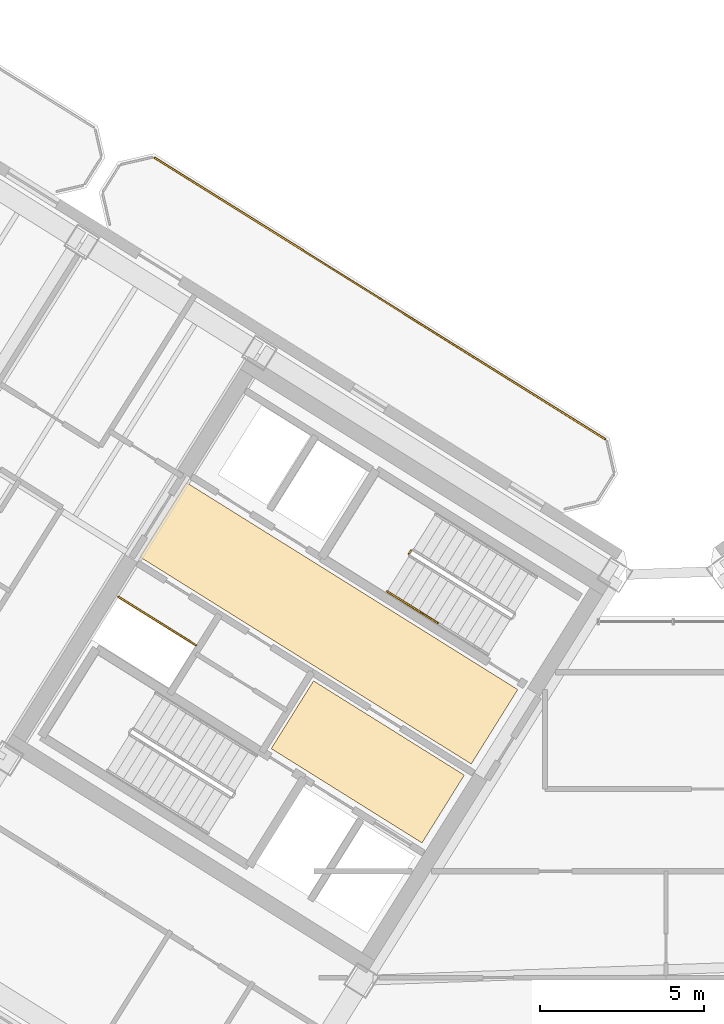
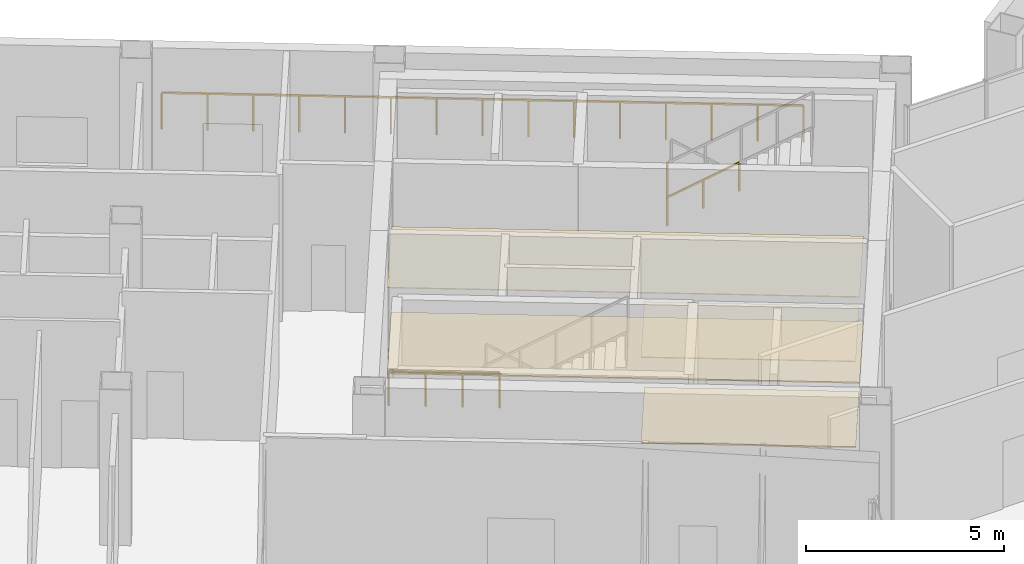
# One storey, part 24 of 26: 4 coverings, 4 railings.
"""IFC4 building model written with IfcOpenShell, lengths in metres."""

import ifcopenshell
import ifcopenshell.guid

model = None  # the IFC model being written
_history = None  # IfcOwnerHistory: only IFC2X3 demands one
_inside = {}  # id of a spatial element -> (the spatial element, [elements in it])
_under = {}  # id of a project, library or spatial element -> (it, [spatial elements below it])
_declared = {}  # id of a project -> (the project, [libraries it declares])
_typed = {}  # id of a type object -> (the type object, [elements of that type])
_made_of = {}  # id of a material, layer set ... -> (it, [elements and type objects made of it])


def new_model(schema):
    """Start an empty IFC model of exactly this schema.

    Asked for "IFC4X3", IfcOpenShell would pick the latest addendum, in which some entities
    have other attributes; the version numbers below select the first issue.
    IFC2X3 requires an IfcOwnerHistory on every rooted entity: one is made here for all.
    """
    global model, _history
    if schema == "IFC4X3":
        model = ifcopenshell.file(schema_version=(4, 3, 0, 0))
    else:
        model = ifcopenshell.file(schema=schema)
    _inside.clear()
    _under.clear()
    _declared.clear()
    _typed.clear()
    _made_of.clear()
    _history = None
    if model.schema == "IFC2X3":
        org = make("IfcOrganization", Name="unknown")
        user = make(
            "IfcPersonAndOrganization",
            ThePerson=make("IfcPerson", FamilyName="unknown"),
            TheOrganization=org,
        )
        app = make(
            "IfcApplication",
            ApplicationDeveloper=org,
            Version="unknown",
            ApplicationFullName="unknown",
            ApplicationIdentifier="unknown",
        )
        _history = make(
            "IfcOwnerHistory",
            OwningUser=user,
            OwningApplication=app,
            ChangeAction="ADDED",
            CreationDate=0,
        )
    return model


def make(cls, **values):
    """One entity of the class cls with the attributes given. An attribute that is None is left unset."""
    return model.create_entity(
        cls, **{name: value for name, value in values.items() if value is not None}
    )


def rooted(cls, **values):
    """An entity with a GlobalId (a new one), such as an element, a storey or a relation."""
    return make(cls, GlobalId=ifcopenshell.guid.new(), OwnerHistory=_history, **values)


def si_unit(unit_type, name, prefix=None):
    """IfcSIUnit, for example si_unit("LENGTHUNIT", "METRE", prefix="MILLI")."""
    return make("IfcSIUnit", UnitType=unit_type, Prefix=prefix, Name=name)


def assignment(units):
    """IfcUnitAssignment: the units of a project."""
    return None if units is None else make("IfcUnitAssignment", Units=units)


def point(xyz):
    """IfcCartesianPoint."""
    return None if xyz is None else make("IfcCartesianPoint", Coordinates=xyz)


def direction(xyz):
    """IfcDirection."""
    return None if xyz is None else make("IfcDirection", DirectionRatios=xyz)


def frame(location, z_axis=None, x_axis=None):
    """IfcAxis2Placement3D, a coordinate frame: its origin and axes. An axis left out is left unset."""
    return make(
        "IfcAxis2Placement3D",
        Location=point(location),
        Axis=direction(z_axis),
        RefDirection=direction(x_axis),
    )


def frame_2d(location, x_axis=None):
    """IfcAxis2Placement2D, a coordinate frame in the plane: its origin and x axis."""
    return make(
        "IfcAxis2Placement2D", Location=point(location), RefDirection=direction(x_axis)
    )


def origin():
    """The frame at (0, 0, 0) with its axes left unset."""
    return frame((0.0, 0.0, 0.0))


def origin_2d():
    """The frame at (0, 0) in the plane with its x axis left unset."""
    return frame_2d((0.0, 0.0))


def place(relative_to, where):
    """IfcLocalPlacement: puts the frame where relative to a parent placement (None: the world)."""
    return make(
        "IfcLocalPlacement", PlacementRelTo=relative_to, RelativePlacement=where
    )


def context(
    kind, dimensions, precision=None, world=None, true_north=None, identifier=None
):
    """IfcGeometricRepresentationContext, for example the 3D "Model" context."""
    return make(
        "IfcGeometricRepresentationContext",
        ContextIdentifier=identifier,
        ContextType=kind,
        CoordinateSpaceDimension=dimensions,
        Precision=precision,
        WorldCoordinateSystem=world,
        TrueNorth=true_north,
    )


def subcontext(parent, identifier, kind, view, scale=None):
    """IfcGeometricRepresentationSubContext, for example "Body" below "Model"."""
    return make(
        "IfcGeometricRepresentationSubContext",
        ContextIdentifier=identifier,
        ContextType=kind,
        ParentContext=parent,
        TargetScale=scale,
        TargetView=view,
    )


def project(units=None, contexts=None):
    """IfcProject with its units and contexts."""
    return rooted(
        "IfcProject",
        Name="project",
        RepresentationContexts=contexts,
        UnitsInContext=assignment(units),
    )


def spatial(cls, under=None, at=None, **own):
    """A site, building, storey or space (cls), placed at a placement, below another one or the project."""
    s = rooted(cls, ObjectPlacement=at, **own)
    if under is not None:
        _under.setdefault(under.id(), (under, []))[1].append(s)
    return s


def polyline(points):
    """IfcPolyline through the points."""
    return make("IfcPolyline", Points=[point(p) for p in points])


def profile(cls, at=None, kind="AREA", **sizes):
    """A parametric profile (cls). Its sizes go by their IFC names, for example OverallWidth=200.0."""
    return make(cls, ProfileType=kind, Position=at, **sizes)


def rectangle(**sizes):
    """IfcRectangleProfileDef."""
    return profile("IfcRectangleProfileDef", **sizes)


def outline(outer, holes=None, kind="AREA"):
    """IfcArbitraryClosedProfileDef: a profile drawn as a closed curve; with holes, ...WithVoids."""
    if holes is None:
        return make("IfcArbitraryClosedProfileDef", ProfileType=kind, OuterCurve=outer)
    return make(
        "IfcArbitraryProfileDefWithVoids",
        ProfileType=kind,
        OuterCurve=outer,
        InnerCurves=holes,
    )


def extrude(swept, where, along, depth):
    """IfcExtrudedAreaSolid: the profile swept, set in the frame where, extruded along a direction by depth."""
    return make(
        "IfcExtrudedAreaSolid",
        SweptArea=swept,
        Position=where,
        ExtrudedDirection=direction(along),
        Depth=depth,
    )


def shape(context_of_items, identifier, shape_type, items):
    """IfcShapeRepresentation: the items that make up one representation, for example the "Body"."""
    return make(
        "IfcShapeRepresentation",
        ContextOfItems=context_of_items,
        RepresentationIdentifier=identifier,
        RepresentationType=shape_type,
        Items=items,
    )


def source(mapping_origin, context_of_items, identifier, shape_type, items):
    """IfcRepresentationMap: a shape defined once, which mapped items show again and again."""
    return make(
        "IfcRepresentationMap",
        MappingOrigin=mapping_origin,
        MappedRepresentation=shape(context_of_items, identifier, shape_type, items),
    )


def transform(
    local_origin,
    x_axis=None,
    y_axis=None,
    z_axis=None,
    scale=None,
    scale2=None,
    scale3=None,
    uniform=True,
):
    """IfcCartesianTransformationOperator3D, or its non-uniform kind. x_axis, y_axis, z_axis: its Axis1, 2, 3."""
    if uniform:
        return make(
            "IfcCartesianTransformationOperator3D",
            Axis1=direction(x_axis),
            Axis2=direction(y_axis),
            LocalOrigin=point(local_origin),
            Scale=scale,
            Axis3=direction(z_axis),
        )
    return make(
        "IfcCartesianTransformationOperator3DnonUniform",
        Axis1=direction(x_axis),
        Axis2=direction(y_axis),
        LocalOrigin=point(local_origin),
        Scale=scale,
        Axis3=direction(z_axis),
        Scale2=scale2,
        Scale3=scale3,
    )


def mapped(mapping_source, mapping_target):
    """IfcMappedItem: shows the shape of a source again, moved by a transform."""
    return make(
        "IfcMappedItem", MappingSource=mapping_source, MappingTarget=mapping_target
    )


def material(Name=None, Category=None):
    """IfcMaterial."""
    return make("IfcMaterial", Name=Name, Category=Category)


def layer(
    of_material, thickness, ventilated=None, Name=None, Category=None, Priority=None
):
    """IfcMaterialLayer: one layer of a wall or slab, of a material (None: an air gap)."""
    return make(
        "IfcMaterialLayer",
        Material=of_material,
        LayerThickness=thickness,
        IsVentilated=ventilated,
        Name=Name,
        Category=Category,
        Priority=Priority,
    )


def layer_set(layers, Name=None):
    """IfcMaterialLayerSet."""
    return make("IfcMaterialLayerSet", MaterialLayers=layers, LayerSetName=Name)


def made_of(thing, what):
    """Note that an element or type object is made of a material, layer set ...; save() writes the relation."""
    if what is not None:
        _made_of.setdefault(what.id(), (what, []))[1].append(thing)
    return thing


def type_object(cls, material=None, **own):
    """A type object (cls), such as IfcWallType, which elements share."""
    return made_of(rooted(cls, **own), material)


def element(
    cls,
    number,
    at=None,
    inside=None,
    cuts=None,
    type_object=None,
    material=None,
    context=None,
    identifier="Body",
    shape_type=None,
    held_by="IfcProductDefinitionShape",
    body=None,
    shapes=None,
    **own,
):
    """One element of the class cls, such as IfcWall. Its Tag is "e" and its number.

    at: its placement. inside: the storey or other place that contains it. cuts: it is an
    opening in that element (IfcRelVoidsElement). A single representation is given by context,
    identifier, shape_type and body (its items); several are given by shapes. held_by: the class
    of the entity that holds the representations. save() writes the other relations.
    """
    e = rooted(cls, Tag="e%d" % number, ObjectPlacement=at, **own)
    if body is not None:
        shapes = [shape(context, identifier, shape_type, body)]
    if shapes is not None:
        e.Representation = make(held_by, Representations=shapes)
    if inside is not None:
        _inside.setdefault(inside.id(), (inside, []))[1].append(e)
    if cuts is not None:
        rooted(
            "IfcRelVoidsElement", RelatingBuildingElement=cuts, RelatedOpeningElement=e
        )
    if type_object is not None:
        _typed.setdefault(type_object.id(), (type_object, []))[1].append(e)
    return made_of(e, material)


def aggregate(whole, parts):
    """IfcRelAggregates: a whole, such as a stair, and the parts it consists of."""
    return rooted("IfcRelAggregates", RelatingObject=whole, RelatedObjects=parts)


def save(model, path):
    """Write the relations noted so far, then the file.

    IfcRelAggregates (storeys below a building ...), IfcRelContainedInSpatialStructure (elements
    in a storey), IfcRelDefinesByType, IfcRelAssociatesMaterial and IfcRelDeclares: one each for
    every whole, place, type object, material and project.
    """
    for whole, parts in _under.values():
        aggregate(whole, parts)
    for where, things in _inside.values():
        rooted(
            "IfcRelContainedInSpatialStructure",
            RelatedElements=things,
            RelatingStructure=where,
        )
    for kind, things in _typed.values():
        rooted("IfcRelDefinesByType", RelatedObjects=things, RelatingType=kind)
    for what, things in _made_of.values():
        rooted("IfcRelAssociatesMaterial", RelatedObjects=things, RelatingMaterial=what)
    for by, libraries in _declared.values():
        rooted("IfcRelDeclares", RelatingContext=by, RelatedDefinitions=libraries)
    model.write(path)


model = new_model("IFC4")

# Units and contexts
model_context = context("Model", 3, precision=1e-05, world=origin(), true_north=direction((0.0, 1.0)))
body_context = subcontext(model_context, "Body", "Model", "MODEL_VIEW")
ifc_project = project(units=[si_unit("LENGTHUNIT", "METRE"), si_unit("AREAUNIT", "SQUARE_METRE"), si_unit("VOLUMEUNIT", "CUBIC_METRE"), si_unit("PLANEANGLEUNIT", "RADIAN"), si_unit("MASSUNIT", "GRAM", prefix="KILO")], contexts=[model_context])

# Site, building, storey
site_placement = place(None, origin())
site = spatial("IfcSite", under=ifc_project, at=site_placement, CompositionType="ELEMENT")
building_placement = place(site_placement, origin())
building = spatial("IfcBuilding", under=site, at=building_placement, Name="Tlacorven Tower", CompositionType="ELEMENT")
storey_placement = place(building_placement, frame((0.0, 0.0, 233.699951171875)))
storey = spatial("IfcBuildingStorey", under=building, at=storey_placement, Name="L59", CompositionType="ELEMENT", Elevation=233.699951171875)

# Coverings
ifc_material_1 = material(Name="Acoustic mineral-fibre ceiling")
ifc_layer_1 = layer(ifc_material_1, 0.02490234375)
ifc_layer_set_1 = layer_set([ifc_layer_1], Name="Acoustic mineral-fibre ceiling")
covering_type_1 = type_object("IfcCoveringType", Name="CV-CLG-ACST", PredefinedType="CEILING", material=ifc_layer_set_1)
covering_1_placement = place(storey_placement, frame((0.0, 0.0, 2.650146484375)))
element("IfcCovering", 1, at=covering_1_placement, inside=storey, type_object=covering_type_1, Name="L59 Acoustic Suspended Ceiling 1", PredefinedType="CEILING", context=body_context, shape_type="SweptSolid", body=[
    extrude(outline(polyline([(36.185302734375, 18.35595703125), (34.892333984375, 16.286865234375), (30.287353515625, 19.164306640625), (31.580322265625, 21.2333984375), (36.185302734375, 18.35595703125)])), origin(), (0.0, 0.0, 1.0), 0.02490234375),
])
covering_2_placement = place(storey_placement, frame((0.0, 0.0, 2.650146484375)))
element("IfcCovering", 2, at=covering_2_placement, inside=storey, type_object=covering_type_1, Name="L59 Acoustic Suspended Ceiling 2", PredefinedType="CEILING", context=body_context, shape_type="SweptSolid", body=[
    extrude(outline(polyline([(37.8173828125, 20.968017578125), (36.397216796875, 18.6953125), (26.271484375, 25.0224609375), (27.691650390625, 27.295166015625), (37.8173828125, 20.968017578125)])), origin(), (0.0, 0.0, 1.0), 0.02490234375),
])
ifc_material_2 = material(Name="Terrazzo and ceramic flooring")
ifc_layer_2 = layer(ifc_material_2, 0.0400390625)
ifc_layer_set_2 = layer_set([ifc_layer_2], Name="Terrazzo and ceramic flooring")
covering_type_2 = type_object("IfcCoveringType", Name="CV-FLR-TERZ", PredefinedType="FLOORING", material=ifc_layer_set_2)
covering_3_placement = place(storey_placement, origin())
element("IfcCovering", 3, at=covering_3_placement, inside=storey, type_object=covering_type_2, Name="L59 Terrazzo Floor Finish 1", PredefinedType="FLOORING", context=body_context, shape_type="SweptSolid", body=[
    extrude(outline(polyline([(36.185302734375, 18.35595703125), (34.892333984375, 16.286865234375), (30.287353515625, 19.164306640625), (31.580322265625, 21.2333984375), (36.185302734375, 18.35595703125)])), origin(), (0.0, 0.0, 1.0), 0.0400390625),
])
covering_4_placement = place(storey_placement, origin())
element("IfcCovering", 4, at=covering_4_placement, inside=storey, type_object=covering_type_2, Name="L59 Terrazzo Floor Finish 2", PredefinedType="FLOORING", context=body_context, shape_type="SweptSolid", body=[
    extrude(outline(polyline([(37.8173828125, 20.968017578125), (36.397216796875, 18.6953125), (26.271484375, 25.0224609375), (27.691650390625, 27.295166015625), (37.8173828125, 20.968017578125)])), origin(), (0.0, 0.0, 1.0), 0.0400390625),
])

# Railings
ifc_material_3 = material(Name="Aluminium and painted steel balustrade", Category="steel")
railing_type_1 = type_object("IfcRailingType", Name="RL-GRD-1100", PredefinedType="GUARDRAIL", material=ifc_material_3)
shared_shape_1 = source(origin(), body_context, "Body", "SweptSolid", [
    extrude(rectangle(XDim=0.048095703125, YDim=0.048095703125, at=origin_2d()), frame((0.0, 0.0, 1.076171875), z_axis=(-0.848091358275, 0.529850024081, 0.0), x_axis=(-0.529850024081, -0.848091358275, 0.0)), (0.0, 0.0, 1.0), 2.800048828125),
    extrude(rectangle(XDim=0.0419921875, YDim=0.0419921875, at=origin_2d()), origin(), (0.0, 0.0, 1.0), 1.052001953125),
    extrude(rectangle(XDim=0.0419921875, YDim=0.0419921875, at=origin_2d()), frame((-0.79150390625, 0.49462890625, 0.0)), (0.0, 0.0, 1.0), 1.052001953125),
    extrude(rectangle(XDim=0.0419921875, YDim=0.0419921875, at=origin_2d()), frame((-1.583251953125, 0.989013671875, 0.0)), (0.0, 0.0, 1.0), 1.052001953125),
    extrude(rectangle(XDim=0.0419921875, YDim=0.0419921875, at=origin_2d()), frame((-2.374755859375, 1.483642578125, 0.0)), (0.0, 0.0, 1.0), 1.052001953125),
])
railing_1_placement = place(storey_placement, frame((27.9912109375, 22.32080078125, 0.0)))
element("IfcRailing", 5, at=railing_1_placement, inside=storey, type_object=railing_type_1, Name="L59 Electrical Riser W Shaft Guard 1", PredefinedType="GUARDRAIL", context=body_context, shape_type="MappedRepresentation", body=[
    mapped(shared_shape_1, transform((0.0, 0.0, 0.0), scale=1.0)),
])
railing_type_2 = type_object("IfcRailingType", Name="RL-GRD-1150", PredefinedType="GUARDRAIL", material=ifc_material_3)
shared_shape_2 = source(origin(), body_context, "Body", "SweptSolid", [
    extrude(rectangle(XDim=0.048095703125, YDim=0.048095703125, at=origin_2d()), frame((0.0, 0.0, 1.1259765625), z_axis=(0.848049045561, -0.529917744865, 0.0), x_axis=(0.529917744865, 0.848049045561, 0.0)), (0.0, 0.0, 1.0), 16.217041015625),
    extrude(rectangle(XDim=0.0419921875, YDim=0.0419921875, at=origin_2d()), origin(), (0.0, 0.0, 1.0), 1.101806640625),
    extrude(rectangle(XDim=0.0419921875, YDim=0.0419921875, at=origin_2d()), frame((0.982421875, -0.61376953125, 0.0)), (0.0, 0.0, 1.0), 1.101806640625),
    extrude(rectangle(XDim=0.0419921875, YDim=0.0419921875, at=origin_2d()), frame((1.964599609375, -1.227783203125, 0.0)), (0.0, 0.0, 1.0), 1.101806640625),
    extrude(rectangle(XDim=0.0419921875, YDim=0.0419921875, at=origin_2d()), frame((2.947021484375, -1.841552734375, 0.0)), (0.0, 0.0, 1.0), 1.101806640625),
    extrude(rectangle(XDim=0.0419921875, YDim=0.0419921875, at=origin_2d()), frame((3.929443359375, -2.455322265625, 0.0)), (0.0, 0.0, 1.0), 1.101806640625),
    extrude(rectangle(XDim=0.0419921875, YDim=0.0419921875, at=origin_2d()), frame((4.911865234375, -3.069091796875, 0.0)), (0.0, 0.0, 1.0), 1.101806640625),
    extrude(rectangle(XDim=0.0419921875, YDim=0.0419921875, at=origin_2d()), frame((5.89404296875, -3.68310546875, 0.0)), (0.0, 0.0, 1.0), 1.101806640625),
    extrude(rectangle(XDim=0.0419921875, YDim=0.0419921875, at=origin_2d()), frame((6.87646484375, -4.296875, 0.0)), (0.0, 0.0, 1.0), 1.101806640625),
    extrude(rectangle(XDim=0.0419921875, YDim=0.0419921875, at=origin_2d()), frame((7.85888671875, -4.91064453125, 0.0)), (0.0, 0.0, 1.0), 1.101806640625),
    extrude(rectangle(XDim=0.0419921875, YDim=0.0419921875, at=origin_2d()), frame((8.841064453125, -5.524658203125, 0.0)), (0.0, 0.0, 1.0), 1.101806640625),
    extrude(rectangle(XDim=0.0419921875, YDim=0.0419921875, at=origin_2d()), frame((9.823486328125, -6.138427734375, 0.0)), (0.0, 0.0, 1.0), 1.101806640625),
    extrude(rectangle(XDim=0.0419921875, YDim=0.0419921875, at=origin_2d()), frame((10.805908203125, -6.752197265625, 0.0)), (0.0, 0.0, 1.0), 1.101806640625),
    extrude(rectangle(XDim=0.0419921875, YDim=0.0419921875, at=origin_2d()), frame((11.788330078125, -7.365966796875, 0.0)), (0.0, 0.0, 1.0), 1.101806640625),
    extrude(rectangle(XDim=0.0419921875, YDim=0.0419921875, at=origin_2d()), frame((12.7705078125, -7.97998046875, 0.0)), (0.0, 0.0, 1.0), 1.101806640625),
    extrude(rectangle(XDim=0.0419921875, YDim=0.0419921875, at=origin_2d()), frame((13.7529296875, -8.59375, 0.0)), (0.0, 0.0, 1.0), 1.101806640625),
])
railing_2_placement = place(storey_placement, frame((26.731689453125, 37.210693359375, 0.0)))
element("IfcRailing", 6, at=railing_2_placement, inside=storey, type_object=railing_type_2, Name="TER-L59-SGW Guard Railing 7", PredefinedType="GUARDRAIL", context=body_context, shape_type="MappedRepresentation", body=[
    mapped(shared_shape_2, transform((0.0, 0.0, 0.0), scale=1.0)),
])
railing_type_3 = type_object("IfcRailingType", Name="RL-HND-0900", PredefinedType="HANDRAIL", material=ifc_material_3)
shared_shape_3 = source(origin(), body_context, "Body", "SweptSolid", [
    extrude(rectangle(XDim=0.048095703125, YDim=0.048095703125, at=origin_2d()), frame((0.0, 0.0, 0.8759765625), z_axis=(0.723280932889, -0.45190757433, 0.522153460567), x_axis=(0.529878353595, 0.848073658589, 0.0)), (0.0, 0.0, 1.0), 2.134033203125),
    extrude(rectangle(XDim=0.0419921875, YDim=0.0419921875, at=origin_2d()), origin(), (0.0, 0.0, 1.0), 0.851806640625),
    extrude(rectangle(XDim=0.0419921875, YDim=0.0419921875, at=origin_2d()), frame((0.771728515625, -0.482177734375, 0.55712890625)), (0.0, 0.0, 1.0), 0.851806640625),
    extrude(rectangle(XDim=0.0419921875, YDim=0.0419921875, at=origin_2d()), frame((1.54345703125, -0.96435546875, 1.1142578125)), (0.0, 0.0, 1.0), 0.851806640625),
])
railing_3_placement = place(storey_placement, frame((33.83056640625, 23.96630859375, 2.571533203125)))
element("IfcRailing", 7, at=railing_3_placement, inside=storey, type_object=railing_type_3, Name="L59 ST-W2 stair handrail 3", PredefinedType="HANDRAIL", context=body_context, shape_type="MappedRepresentation", body=[
    mapped(shared_shape_3, transform((0.0, 0.0, 0.0), scale=1.0)),
])
shared_shape_4 = source(origin(), body_context, "Body", "SweptSolid", [
    extrude(rectangle(XDim=0.048095703125, YDim=0.048095703125, at=origin_2d()), frame((0.0, 0.0, 1.076171875), z_axis=(-0.529998940003, -0.847998304005, 0.0), x_axis=(0.847998304005, -0.529998940003, 0.0)), (0.0, 0.0, 1.0), 0.119873046875),
    extrude(rectangle(XDim=0.0419921875, YDim=0.0419921875, at=origin_2d()), origin(), (0.0, 0.0, 1.0), 1.052001953125),
    extrude(rectangle(XDim=0.0419921875, YDim=0.0419921875, at=origin_2d()), frame((-0.0634765625, -0.1015625, 0.0)), (0.0, 0.0, 1.0), 1.052001953125),
])
railing_4_placement = place(storey_placement, frame((34.556396484375, 25.222412109375, 2.400146484375)))
element("IfcRailing", 8, at=railing_4_placement, inside=storey, type_object=railing_type_1, Name="L59 ST-W2 stair guard 2", PredefinedType="GUARDRAIL", context=body_context, shape_type="MappedRepresentation", body=[
    mapped(shared_shape_4, transform((0.0, 0.0, 0.0), scale=1.0)),
])

save(model, "model.ifc")
